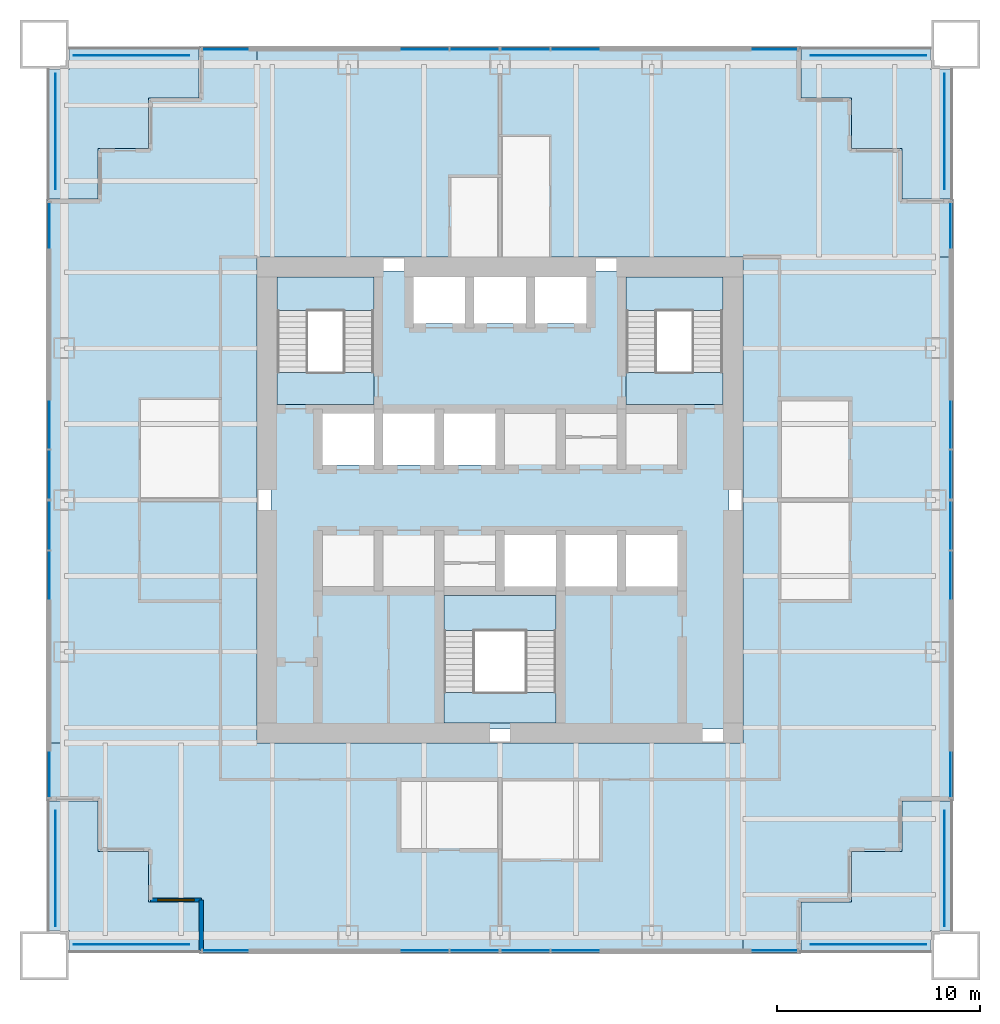
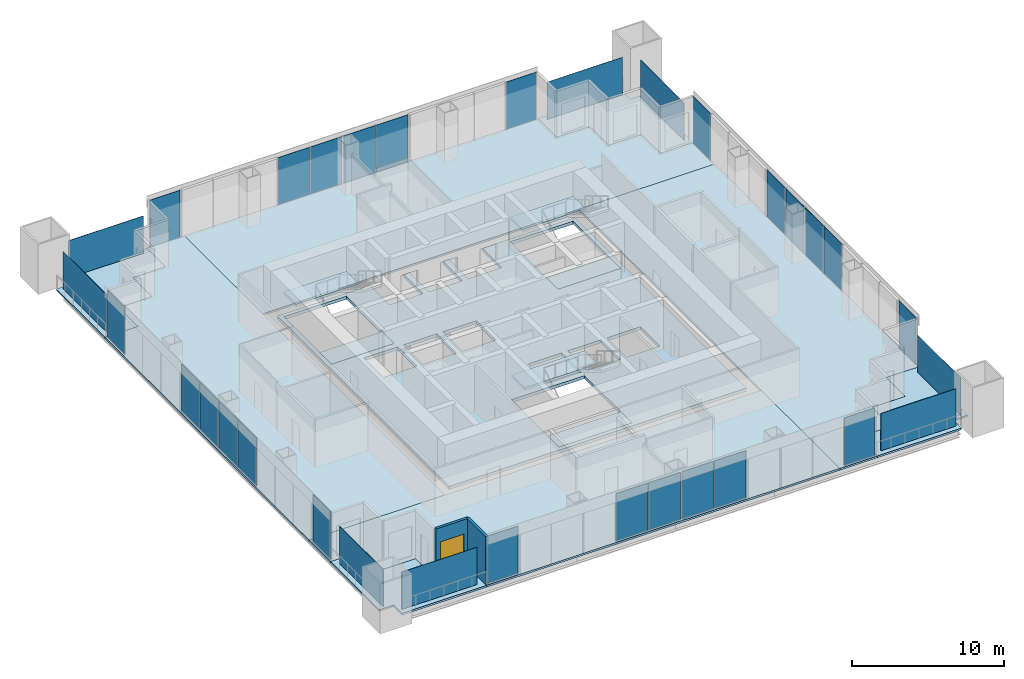
# One storey, part 7 of 13: 32 plates, 15 slabs, 2 walls, 1 window, 1 opening, 19 elements without a shape of their own.
"""IFC4 building model written with IfcOpenShell, lengths in metres."""

from ifc_helpers import new_model, si_unit, direction, frame, frame_2d, origin, origin_2d, place, context, subcontext, project, spatial, polyline, rectangle, outline, extrude, material, layer, layer_set, type_object, element, fill, aggregate, save


model = new_model("IFC4")

# Units and contexts
model_context = context("Model", 3, precision=1e-05, world=origin(), true_north=direction((0.0, 1.0)))
body_context = subcontext(model_context, "Body", "Model", "MODEL_VIEW")
ifc_project = project(units=[si_unit("LENGTHUNIT", "METRE"), si_unit("AREAUNIT", "SQUARE_METRE"), si_unit("VOLUMEUNIT", "CUBIC_METRE"), si_unit("PLANEANGLEUNIT", "RADIAN"), si_unit("MASSUNIT", "GRAM", prefix="KILO")], contexts=[model_context])

# Site, building, storey
site_placement = place(None, origin())
site = spatial("IfcSite", under=ifc_project, at=site_placement, CompositionType="ELEMENT")
building_placement = place(site_placement, origin())
building = spatial("IfcBuilding", under=site, at=building_placement, Name="Tarangal Relay Tower", CompositionType="ELEMENT")
storey_placement = place(building_placement, frame((0.0, 0.0, 225.89990234375)))
storey = spatial("IfcBuildingStorey", under=building, at=storey_placement, Name="L48", CompositionType="ELEMENT", Elevation=225.89990234375)

# Slabs
ifc_material_1 = material(Name="Concrete fc' 35 MPa", Category="concrete")
ifc_layer_1 = layer(ifc_material_1, 0.25)
ifc_layer_set_1 = layer_set([ifc_layer_1], Name="Core floor slab 250")
slab_type_1 = type_object("IfcSlabType", Name="Core floor slab 250", PredefinedType="FLOOR", material=ifc_layer_set_1)
slab_1_placement = place(storey_placement, frame((0.0, 0.0, -0.25)))
element("IfcSlab", 1, at=slab_1_placement, inside=storey, type_object=slab_type_1, Name="Core floor slab L48", PredefinedType="FLOOR", context=body_context, shape_type="SweptSolid", body=[
    extrude(outline(polyline([(11.300048828125, 11.300048828125), (11.300048828125, -11.300048828125), (-11.300048828125, -11.300048828125), (-11.300048828125, 11.300048828125), (-4.27490234375, 11.300048828125), (-4.27490234375, 8.72509765625), (-1.72509765625, 8.72509765625), (-1.72509765625, 11.300048828125), (-1.27490234375, 11.300048828125), (-1.27490234375, 8.72509765625), (1.27490234375, 8.72509765625), (1.27490234375, 11.300048828125), (1.72509765625, 11.300048828125), (1.72509765625, 8.72509765625), (4.27490234375, 8.72509765625), (4.27490234375, 11.300048828125), (11.300048828125, 11.300048828125)]), holes=[polyline([(-6.22509765625, 4.27490234375), (-8.77490234375, 4.27490234375), (-8.77490234375, 1.72509765625), (-6.22509765625, 1.72509765625), (-6.22509765625, 4.27490234375)]), polyline([(-3.22509765625, 1.72509765625), (-3.22509765625, 4.27490234375), (-5.77490234375, 4.27490234375), (-5.77490234375, 1.72509765625), (-3.22509765625, 1.72509765625)]), polyline([(-0.22509765625, 1.72509765625), (-0.22509765625, 4.27490234375), (-2.77490234375, 4.27490234375), (-2.77490234375, 1.72509765625), (-0.22509765625, 1.72509765625)]), polyline([(-6.22509765625, 11.0), (-11.0, 11.0), (-11.0, 4.72509765625), (-6.22509765625, 4.72509765625), (-6.22509765625, 11.0)]), polyline([(2.77490234375, -4.72509765625), (-2.77490234375, -4.72509765625), (-2.77490234375, -11.0), (2.77490234375, -11.0), (2.77490234375, -4.72509765625)]), polyline([(2.77490234375, -4.27490234375), (2.77490234375, -1.72509765625), (0.22509765625, -1.72509765625), (0.22509765625, -4.27490234375), (2.77490234375, -4.27490234375)]), polyline([(5.77490234375, -4.27490234375), (5.77490234375, -1.72509765625), (3.22509765625, -1.72509765625), (3.22509765625, -4.27490234375), (5.77490234375, -4.27490234375)]), polyline([(8.77490234375, -1.72509765625), (6.22509765625, -1.72509765625), (6.22509765625, -4.27490234375), (8.77490234375, -4.27490234375), (8.77490234375, -1.72509765625)]), polyline([(11.0, 4.72509765625), (11.0, 11.0), (6.22509765625, 11.0), (6.22509765625, 4.72509765625), (11.0, 4.72509765625)])]), origin(), (0.0, 0.0, 1.0), 0.25),
])
ifc_layer_2 = layer(ifc_material_1, 0.14990234375)
ifc_layer_set_2 = layer_set([ifc_layer_2], Name="Floor slab 150")
slab_type_2 = type_object("IfcSlabType", Name="Floor slab 150", PredefinedType="FLOOR", material=ifc_layer_set_2)
slab_2_placement = place(storey_placement, frame((0.0, 0.0, -0.14990234375)))
element("IfcSlab", 2, at=slab_2_placement, inside=storey, type_object=slab_type_2, Name="Floor slab FS3 L48 north bay", PredefinedType="FLOOR", context=body_context, shape_type="SweptSolid", body=[
    extrude(outline(polyline([(14.85009765625, 22.35009765625), (14.85009765625, 19.85009765625), (17.35009765625, 19.85009765625), (17.35009765625, 17.35009765625), (19.85009765625, 17.35009765625), (19.85009765625, 14.85009765625), (22.35009765625, 14.85009765625), (22.35009765625, 12.0), (-12.0, 12.0), (-12.0, 22.35009765625), (14.85009765625, 22.35009765625)])), origin(), (0.0, 0.0, 1.0), 0.14990234375),
])
slab_3_placement = place(storey_placement, frame((0.0, 0.0, -0.14990234375)))
element("IfcSlab", 3, at=slab_3_placement, inside=storey, type_object=slab_type_2, Name="Floor slab FS3 L48 east bay", PredefinedType="FLOOR", context=body_context, shape_type="SweptSolid", body=[
    extrude(outline(polyline([(22.35009765625, -14.85009765625), (19.85009765625, -14.85009765625), (19.85009765625, -17.35009765625), (17.35009765625, -17.35009765625), (17.35009765625, -19.85009765625), (14.85009765625, -19.85009765625), (14.85009765625, -22.35009765625), (12.0, -22.35009765625), (12.0, 12.0), (22.35009765625, 12.0), (22.35009765625, -14.85009765625)])), origin(), (0.0, 0.0, 1.0), 0.14990234375),
])
slab_4_placement = place(storey_placement, frame((0.0, 0.0, -0.14990234375)))
element("IfcSlab", 4, at=slab_4_placement, inside=storey, type_object=slab_type_2, Name="Floor slab FS3 L48 south bay", PredefinedType="FLOOR", context=body_context, shape_type="SweptSolid", body=[
    extrude(outline(polyline([(-14.85009765625, -22.35009765625), (-14.85009765625, -19.85009765625), (-17.35009765625, -19.85009765625), (-17.35009765625, -17.35009765625), (-19.85009765625, -17.35009765625), (-19.85009765625, -14.85009765625), (-22.35009765625, -14.85009765625), (-22.35009765625, -12.0), (12.0, -12.0), (12.0, -22.35009765625), (-14.85009765625, -22.35009765625)])), origin(), (0.0, 0.0, 1.0), 0.14990234375),
])
slab_5_placement = place(storey_placement, frame((0.0, 0.0, -0.14990234375)))
element("IfcSlab", 5, at=slab_5_placement, inside=storey, type_object=slab_type_2, Name="Floor slab FS3 L48 west bay", PredefinedType="FLOOR", context=body_context, shape_type="SweptSolid", body=[
    extrude(outline(polyline([(-12.0, 22.35009765625), (-12.0, -12.0), (-22.35009765625, -12.0), (-22.35009765625, 14.85009765625), (-19.85009765625, 14.85009765625), (-19.85009765625, 17.35009765625), (-17.35009765625, 17.35009765625), (-17.35009765625, 19.85009765625), (-14.85009765625, 19.85009765625), (-14.85009765625, 22.35009765625), (-12.0, 22.35009765625)])), origin(), (0.0, 0.0, 1.0), 0.14990234375),
])

# Curtain wall, plate
ifc_material_2 = material(Name="Unitised curtain wall, dark glass and black aluminium", Category="aluminium")
curtain_wall_type = type_object("IfcCurtainWallType", Name="Curtain wall CW-A", PredefinedType="USERDEFINED", material=ifc_material_2)
curtain_wall_1_placement = place(storey_placement, origin())
curtain_wall_1 = element("IfcCurtainWall", 6, at=curtain_wall_1_placement, inside=storey, type_object=curtain_wall_type, Name="Curtain wall CW-A N facade L48", ObjectType="UNITISED CURTAIN WALL", PredefinedType="USERDEFINED")
ifc_material_3 = material(Name="Dark tinted insulated glass unit", Category="glass")
ifc_layer_3 = layer(ifc_material_3, 0.031982421875)
ifc_layer_set_3 = layer_set([ifc_layer_3], Name="Glazed panel CW-A 32")
plate_type_1 = type_object("IfcPlateType", Name="Glazed panel CW-A 32", PredefinedType="CURTAIN_PANEL", material=ifc_layer_set_3)
plate_1_placement = place(storey_placement, frame((-13.541748046875, 22.25, 0.06494140625), z_axis=(0.0, 0.0, 1.0), x_axis=(1.0, 0.0, 0.0)))
plate_1 = element("IfcPlate", 7, at=plate_1_placement, type_object=plate_type_1, Name="CW-A panel 1.1", PredefinedType="CURTAIN_PANEL", context=body_context, shape_type="SweptSolid", body=[
    extrude(rectangle(XDim=2.28662109375, YDim=0.031982421875, at=origin_2d()), origin(), (0.0, 0.0, 1.0), 3.784912109375),
])
aggregate(curtain_wall_1, [plate_1])

# Curtain wall, plates
curtain_wall_2_placement = place(storey_placement, origin())
curtain_wall_2 = element("IfcCurtainWall", 8, at=curtain_wall_2_placement, inside=storey, type_object=curtain_wall_type, Name="Curtain wall CW-A N facade L48", ObjectType="UNITISED CURTAIN WALL", PredefinedType="USERDEFINED")
plate_2_placement = place(storey_placement, frame((-3.733642578125, 22.25, 0.06494140625), z_axis=(0.0, 0.0, 1.0), x_axis=(1.0, 0.0, 0.0)))
plate_2 = element("IfcPlate", 9, at=plate_2_placement, type_object=plate_type_1, Name="CW-A panel 1.1", PredefinedType="CURTAIN_PANEL", context=body_context, shape_type="SweptSolid", body=[
    extrude(rectangle(XDim=2.402587890625, YDim=0.031982421875, at=origin_2d()), origin(), (0.0, 0.0, 1.0), 3.784912109375),
])
plate_3_placement = place(storey_placement, frame((-1.266357421875, 22.25, 0.06494140625), z_axis=(0.0, 0.0, 1.0), x_axis=(1.0, 0.0, 0.0)))
plate_3 = element("IfcPlate", 10, at=plate_3_placement, type_object=plate_type_1, Name="CW-A panel 2.1", PredefinedType="CURTAIN_PANEL", context=body_context, shape_type="SweptSolid", body=[
    extrude(rectangle(XDim=2.402587890625, YDim=0.031982421875, at=origin_2d()), origin(), (0.0, 0.0, 1.0), 3.784912109375),
])
aggregate(curtain_wall_2, [plate_2, plate_3])

curtain_wall_3_placement = place(storey_placement, origin())
curtain_wall_3 = element("IfcCurtainWall", 11, at=curtain_wall_3_placement, inside=storey, type_object=curtain_wall_type, Name="Curtain wall CW-A N facade L48", ObjectType="UNITISED CURTAIN WALL", PredefinedType="USERDEFINED")
plate_4_placement = place(storey_placement, frame((1.266357421875, 22.25, 0.06494140625), z_axis=(0.0, 0.0, 1.0), x_axis=(1.0, 0.0, 0.0)))
plate_4 = element("IfcPlate", 12, at=plate_4_placement, type_object=plate_type_1, Name="CW-A panel 1.1", PredefinedType="CURTAIN_PANEL", context=body_context, shape_type="SweptSolid", body=[
    extrude(rectangle(XDim=2.402587890625, YDim=0.031982421875, at=origin_2d()), origin(), (0.0, 0.0, 1.0), 3.784912109375),
])
plate_5_placement = place(storey_placement, frame((3.733642578125, 22.25, 0.06494140625), z_axis=(0.0, 0.0, 1.0), x_axis=(1.0, 0.0, 0.0)))
plate_5 = element("IfcPlate", 13, at=plate_5_placement, type_object=plate_type_1, Name="CW-A panel 2.1", PredefinedType="CURTAIN_PANEL", context=body_context, shape_type="SweptSolid", body=[
    extrude(rectangle(XDim=2.402587890625, YDim=0.031982421875, at=origin_2d()), origin(), (0.0, 0.0, 1.0), 3.784912109375),
])
aggregate(curtain_wall_3, [plate_4, plate_5])

# Curtain wall, plate
curtain_wall_4_placement = place(storey_placement, origin())
curtain_wall_4 = element("IfcCurtainWall", 14, at=curtain_wall_4_placement, inside=storey, type_object=curtain_wall_type, Name="Curtain wall CW-A N facade L48", ObjectType="UNITISED CURTAIN WALL", PredefinedType="USERDEFINED")
plate_6_placement = place(storey_placement, frame((13.541748046875, 22.25, 0.06494140625), z_axis=(0.0, 0.0, 1.0), x_axis=(1.0, 0.0, 0.0)))
plate_6 = element("IfcPlate", 15, at=plate_6_placement, type_object=plate_type_1, Name="CW-A panel 1.1", PredefinedType="CURTAIN_PANEL", context=body_context, shape_type="SweptSolid", body=[
    extrude(rectangle(XDim=2.28662109375, YDim=0.031982421875, at=origin_2d()), origin(), (0.0, 0.0, 1.0), 3.784912109375),
])
aggregate(curtain_wall_4, [plate_6])

curtain_wall_5_placement = place(storey_placement, origin())
curtain_wall_5 = element("IfcCurtainWall", 16, at=curtain_wall_5_placement, inside=storey, type_object=curtain_wall_type, Name="Curtain wall CW-A E facade L48", ObjectType="UNITISED CURTAIN WALL", PredefinedType="USERDEFINED")
plate_7_placement = place(storey_placement, frame((22.25, 13.541748046875, 0.06494140625), z_axis=(0.0, 0.0, 1.0), x_axis=(0.0, -1.0, 0.0)))
plate_7 = element("IfcPlate", 17, at=plate_7_placement, type_object=plate_type_1, Name="CW-A panel 1.1", PredefinedType="CURTAIN_PANEL", context=body_context, shape_type="SweptSolid", body=[
    extrude(rectangle(XDim=2.28662109375, YDim=0.031982421875, at=origin_2d()), origin(), (0.0, 0.0, 1.0), 3.784912109375),
])
aggregate(curtain_wall_5, [plate_7])

# Curtain wall, plates
curtain_wall_6_placement = place(storey_placement, origin())
curtain_wall_6 = element("IfcCurtainWall", 18, at=curtain_wall_6_placement, inside=storey, type_object=curtain_wall_type, Name="Curtain wall CW-A E facade L48", ObjectType="UNITISED CURTAIN WALL", PredefinedType="USERDEFINED")
plate_8_placement = place(storey_placement, frame((22.25, 3.733642578125, 0.06494140625), z_axis=(0.0, 0.0, 1.0), x_axis=(0.0, -1.0, 0.0)))
plate_8 = element("IfcPlate", 19, at=plate_8_placement, type_object=plate_type_1, Name="CW-A panel 1.1", PredefinedType="CURTAIN_PANEL", context=body_context, shape_type="SweptSolid", body=[
    extrude(rectangle(XDim=2.402587890625, YDim=0.031982421875, at=origin_2d()), origin(), (0.0, 0.0, 1.0), 3.784912109375),
])
plate_9_placement = place(storey_placement, frame((22.25, 1.266357421875, 0.06494140625), z_axis=(0.0, 0.0, 1.0), x_axis=(0.0, -1.0, 0.0)))
plate_9 = element("IfcPlate", 20, at=plate_9_placement, type_object=plate_type_1, Name="CW-A panel 2.1", PredefinedType="CURTAIN_PANEL", context=body_context, shape_type="SweptSolid", body=[
    extrude(rectangle(XDim=2.402587890625, YDim=0.031982421875, at=origin_2d()), origin(), (0.0, 0.0, 1.0), 3.784912109375),
])
aggregate(curtain_wall_6, [plate_8, plate_9])

curtain_wall_7_placement = place(storey_placement, origin())
curtain_wall_7 = element("IfcCurtainWall", 21, at=curtain_wall_7_placement, inside=storey, type_object=curtain_wall_type, Name="Curtain wall CW-A E facade L48", ObjectType="UNITISED CURTAIN WALL", PredefinedType="USERDEFINED")
plate_10_placement = place(storey_placement, frame((22.25, -1.266357421875, 0.06494140625), z_axis=(0.0, 0.0, 1.0), x_axis=(0.0, -1.0, 0.0)))
plate_10 = element("IfcPlate", 22, at=plate_10_placement, type_object=plate_type_1, Name="CW-A panel 1.1", PredefinedType="CURTAIN_PANEL", context=body_context, shape_type="SweptSolid", body=[
    extrude(rectangle(XDim=2.402587890625, YDim=0.031982421875, at=origin_2d()), origin(), (0.0, 0.0, 1.0), 3.784912109375),
])
plate_11_placement = place(storey_placement, frame((22.25, -3.733642578125, 0.06494140625), z_axis=(0.0, 0.0, 1.0), x_axis=(0.0, -1.0, 0.0)))
plate_11 = element("IfcPlate", 23, at=plate_11_placement, type_object=plate_type_1, Name="CW-A panel 2.1", PredefinedType="CURTAIN_PANEL", context=body_context, shape_type="SweptSolid", body=[
    extrude(rectangle(XDim=2.402587890625, YDim=0.031982421875, at=origin_2d()), origin(), (0.0, 0.0, 1.0), 3.784912109375),
])
aggregate(curtain_wall_7, [plate_10, plate_11])

# Curtain wall, plate
curtain_wall_8_placement = place(storey_placement, origin())
curtain_wall_8 = element("IfcCurtainWall", 24, at=curtain_wall_8_placement, inside=storey, type_object=curtain_wall_type, Name="Curtain wall CW-A E facade L48", ObjectType="UNITISED CURTAIN WALL", PredefinedType="USERDEFINED")
plate_12_placement = place(storey_placement, frame((22.25, -13.541748046875, 0.06494140625), z_axis=(0.0, 0.0, 1.0), x_axis=(0.0, -1.0, 0.0)))
plate_12 = element("IfcPlate", 25, at=plate_12_placement, type_object=plate_type_1, Name="CW-A panel 1.1", PredefinedType="CURTAIN_PANEL", context=body_context, shape_type="SweptSolid", body=[
    extrude(rectangle(XDim=2.28662109375, YDim=0.031982421875, at=origin_2d()), origin(), (0.0, 0.0, 1.0), 3.784912109375),
])
aggregate(curtain_wall_8, [plate_12])

curtain_wall_9_placement = place(storey_placement, origin())
curtain_wall_9 = element("IfcCurtainWall", 26, at=curtain_wall_9_placement, inside=storey, type_object=curtain_wall_type, Name="Curtain wall CW-A S facade L48", ObjectType="UNITISED CURTAIN WALL", PredefinedType="USERDEFINED")
plate_13_placement = place(storey_placement, frame((13.541748046875, -22.25, 0.06494140625), z_axis=(0.0, 0.0, 1.0), x_axis=(-1.0, 0.0, 0.0)))
plate_13 = element("IfcPlate", 27, at=plate_13_placement, type_object=plate_type_1, Name="CW-A panel 1.1", PredefinedType="CURTAIN_PANEL", context=body_context, shape_type="SweptSolid", body=[
    extrude(rectangle(XDim=2.28662109375, YDim=0.031982421875, at=origin_2d()), origin(), (0.0, 0.0, 1.0), 3.784912109375),
])
aggregate(curtain_wall_9, [plate_13])

# Curtain wall, plates
curtain_wall_10_placement = place(storey_placement, origin())
curtain_wall_10 = element("IfcCurtainWall", 28, at=curtain_wall_10_placement, inside=storey, type_object=curtain_wall_type, Name="Curtain wall CW-A S facade L48", ObjectType="UNITISED CURTAIN WALL", PredefinedType="USERDEFINED")
plate_14_placement = place(storey_placement, frame((3.733642578125, -22.25, 0.06494140625), z_axis=(0.0, 0.0, 1.0), x_axis=(-1.0, 0.0, 0.0)))
plate_14 = element("IfcPlate", 29, at=plate_14_placement, type_object=plate_type_1, Name="CW-A panel 1.1", PredefinedType="CURTAIN_PANEL", context=body_context, shape_type="SweptSolid", body=[
    extrude(rectangle(XDim=2.402587890625, YDim=0.031982421875, at=origin_2d()), origin(), (0.0, 0.0, 1.0), 3.784912109375),
])
plate_15_placement = place(storey_placement, frame((1.266357421875, -22.25, 0.06494140625), z_axis=(0.0, 0.0, 1.0), x_axis=(-1.0, 0.0, 0.0)))
plate_15 = element("IfcPlate", 30, at=plate_15_placement, type_object=plate_type_1, Name="CW-A panel 2.1", PredefinedType="CURTAIN_PANEL", context=body_context, shape_type="SweptSolid", body=[
    extrude(rectangle(XDim=2.402587890625, YDim=0.031982421875, at=origin_2d()), origin(), (0.0, 0.0, 1.0), 3.784912109375),
])
aggregate(curtain_wall_10, [plate_14, plate_15])

curtain_wall_11_placement = place(storey_placement, origin())
curtain_wall_11 = element("IfcCurtainWall", 31, at=curtain_wall_11_placement, inside=storey, type_object=curtain_wall_type, Name="Curtain wall CW-A S facade L48", ObjectType="UNITISED CURTAIN WALL", PredefinedType="USERDEFINED")
plate_16_placement = place(storey_placement, frame((-1.266357421875, -22.25, 0.06494140625), z_axis=(0.0, 0.0, 1.0), x_axis=(-1.0, 0.0, 0.0)))
plate_16 = element("IfcPlate", 32, at=plate_16_placement, type_object=plate_type_1, Name="CW-A panel 1.1", PredefinedType="CURTAIN_PANEL", context=body_context, shape_type="SweptSolid", body=[
    extrude(rectangle(XDim=2.402587890625, YDim=0.031982421875, at=origin_2d()), origin(), (0.0, 0.0, 1.0), 3.784912109375),
])
plate_17_placement = place(storey_placement, frame((-3.733642578125, -22.25, 0.06494140625), z_axis=(0.0, 0.0, 1.0), x_axis=(-1.0, 0.0, 0.0)))
plate_17 = element("IfcPlate", 33, at=plate_17_placement, type_object=plate_type_1, Name="CW-A panel 2.1", PredefinedType="CURTAIN_PANEL", context=body_context, shape_type="SweptSolid", body=[
    extrude(rectangle(XDim=2.402587890625, YDim=0.031982421875, at=origin_2d()), origin(), (0.0, 0.0, 1.0), 3.784912109375),
])
aggregate(curtain_wall_11, [plate_16, plate_17])

# Curtain wall, plate
curtain_wall_12_placement = place(storey_placement, origin())
curtain_wall_12 = element("IfcCurtainWall", 34, at=curtain_wall_12_placement, inside=storey, type_object=curtain_wall_type, Name="Curtain wall CW-A S facade L48", ObjectType="UNITISED CURTAIN WALL", PredefinedType="USERDEFINED")
plate_18_placement = place(storey_placement, frame((-13.541748046875, -22.25, 0.06494140625), z_axis=(0.0, 0.0, 1.0), x_axis=(-1.0, 0.0, 0.0)))
plate_18 = element("IfcPlate", 35, at=plate_18_placement, type_object=plate_type_1, Name="CW-A panel 1.1", PredefinedType="CURTAIN_PANEL", context=body_context, shape_type="SweptSolid", body=[
    extrude(rectangle(XDim=2.28662109375, YDim=0.031982421875, at=origin_2d()), origin(), (0.0, 0.0, 1.0), 3.784912109375),
])
aggregate(curtain_wall_12, [plate_18])

curtain_wall_13_placement = place(storey_placement, origin())
curtain_wall_13 = element("IfcCurtainWall", 36, at=curtain_wall_13_placement, inside=storey, type_object=curtain_wall_type, Name="Curtain wall CW-A W facade L48", ObjectType="UNITISED CURTAIN WALL", PredefinedType="USERDEFINED")
plate_19_placement = place(storey_placement, frame((-22.25, -13.541748046875, 0.06494140625), z_axis=(0.0, 0.0, 1.0), x_axis=(0.0, 1.0, 0.0)))
plate_19 = element("IfcPlate", 37, at=plate_19_placement, type_object=plate_type_1, Name="CW-A panel 1.1", PredefinedType="CURTAIN_PANEL", context=body_context, shape_type="SweptSolid", body=[
    extrude(rectangle(XDim=2.28662109375, YDim=0.031982421875, at=origin_2d()), origin(), (0.0, 0.0, 1.0), 3.784912109375),
])
aggregate(curtain_wall_13, [plate_19])

# Curtain wall, plates
curtain_wall_14_placement = place(storey_placement, origin())
curtain_wall_14 = element("IfcCurtainWall", 38, at=curtain_wall_14_placement, inside=storey, type_object=curtain_wall_type, Name="Curtain wall CW-A W facade L48", ObjectType="UNITISED CURTAIN WALL", PredefinedType="USERDEFINED")
plate_20_placement = place(storey_placement, frame((-22.25, -3.733642578125, 0.06494140625), z_axis=(0.0, 0.0, 1.0), x_axis=(0.0, 1.0, 0.0)))
plate_20 = element("IfcPlate", 39, at=plate_20_placement, type_object=plate_type_1, Name="CW-A panel 1.1", PredefinedType="CURTAIN_PANEL", context=body_context, shape_type="SweptSolid", body=[
    extrude(rectangle(XDim=2.402587890625, YDim=0.031982421875, at=origin_2d()), origin(), (0.0, 0.0, 1.0), 3.784912109375),
])
plate_21_placement = place(storey_placement, frame((-22.25, -1.266357421875, 0.06494140625), z_axis=(0.0, 0.0, 1.0), x_axis=(0.0, 1.0, 0.0)))
plate_21 = element("IfcPlate", 40, at=plate_21_placement, type_object=plate_type_1, Name="CW-A panel 2.1", PredefinedType="CURTAIN_PANEL", context=body_context, shape_type="SweptSolid", body=[
    extrude(rectangle(XDim=2.402587890625, YDim=0.031982421875, at=origin_2d()), origin(), (0.0, 0.0, 1.0), 3.784912109375),
])
aggregate(curtain_wall_14, [plate_20, plate_21])

curtain_wall_15_placement = place(storey_placement, origin())
curtain_wall_15 = element("IfcCurtainWall", 41, at=curtain_wall_15_placement, inside=storey, type_object=curtain_wall_type, Name="Curtain wall CW-A W facade L48", ObjectType="UNITISED CURTAIN WALL", PredefinedType="USERDEFINED")
plate_22_placement = place(storey_placement, frame((-22.25, 1.266357421875, 0.06494140625), z_axis=(0.0, 0.0, 1.0), x_axis=(0.0, 1.0, 0.0)))
plate_22 = element("IfcPlate", 42, at=plate_22_placement, type_object=plate_type_1, Name="CW-A panel 1.1", PredefinedType="CURTAIN_PANEL", context=body_context, shape_type="SweptSolid", body=[
    extrude(rectangle(XDim=2.402587890625, YDim=0.031982421875, at=origin_2d()), origin(), (0.0, 0.0, 1.0), 3.784912109375),
])
plate_23_placement = place(storey_placement, frame((-22.25, 3.733642578125, 0.06494140625), z_axis=(0.0, 0.0, 1.0), x_axis=(0.0, 1.0, 0.0)))
plate_23 = element("IfcPlate", 43, at=plate_23_placement, type_object=plate_type_1, Name="CW-A panel 2.1", PredefinedType="CURTAIN_PANEL", context=body_context, shape_type="SweptSolid", body=[
    extrude(rectangle(XDim=2.402587890625, YDim=0.031982421875, at=origin_2d()), origin(), (0.0, 0.0, 1.0), 3.784912109375),
])
aggregate(curtain_wall_15, [plate_22, plate_23])

# Curtain wall, plate
curtain_wall_16_placement = place(storey_placement, origin())
curtain_wall_16 = element("IfcCurtainWall", 44, at=curtain_wall_16_placement, inside=storey, type_object=curtain_wall_type, Name="Curtain wall CW-A W facade L48", ObjectType="UNITISED CURTAIN WALL", PredefinedType="USERDEFINED")
plate_24_placement = place(storey_placement, frame((-22.25, 13.541748046875, 0.06494140625), z_axis=(0.0, 0.0, 1.0), x_axis=(0.0, 1.0, 0.0)))
plate_24 = element("IfcPlate", 45, at=plate_24_placement, type_object=plate_type_1, Name="CW-A panel 1.1", PredefinedType="CURTAIN_PANEL", context=body_context, shape_type="SweptSolid", body=[
    extrude(rectangle(XDim=2.28662109375, YDim=0.031982421875, at=origin_2d()), origin(), (0.0, 0.0, 1.0), 3.784912109375),
])
aggregate(curtain_wall_16, [plate_24])

# Plates
ifc_material_4 = material(Name="Black stainless steel cable trellis with climbing planting", Category="steel")
ifc_layer_4 = layer(ifc_material_4, 0.030029296875)
ifc_layer_set_4 = layer_set([ifc_layer_4], Name="Planted trellis screen")
plate_type_2 = type_object("IfcPlateType", Name="Planted trellis screen", PredefinedType="SHEET", material=ifc_layer_set_4)
for number, where, z_axis, x_axis, name in (
    (46, (21.949951171875, 18.199951171875, 0.0), (0.0, 0.0, 1.0), (0.0, -1.0, 0.0), "Planted trellis SC2 NE L48"),
    (47, (18.199951171875, -21.949951171875, 0.0), (0.0, 0.0, 1.0), (-1.0, 0.0, 0.0), "Planted trellis SC2 SE L48"),
    (48, (-21.949951171875, -18.199951171875, 0.0), (0.0, 0.0, 1.0), (0.0, 1.0, 0.0), "Planted trellis SC2 SW L48"),
    (49, (-18.199951171875, 21.949951171875, 0.0), (0.0, 0.0, 1.0), (1.0, 0.0, 0.0), "Planted trellis SC2 NW L48"),
):
    element("IfcPlate", number, at=place(storey_placement, frame(where, z_axis=z_axis, x_axis=x_axis)), inside=storey, type_object=plate_type_2, Name=name, PredefinedType="SHEET", context=body_context, shape_type="SweptSolid", body=[
        extrude(rectangle(XDim=5.699951171875, YDim=0.030029296875, at=origin_2d()), origin(), (0.0, 0.0, 1.0), 3.0),
    ])

# Stair, slabs
ifc_material_5 = material(Name="Steel ASTM A992 stair flight", Category="steel")
stair_type = type_object("IfcStairType", Name="Core stair 1500", PredefinedType="HALF_TURN_STAIR", material=ifc_material_5)
stair_1_placement = place(storey_placement, origin())
stair_1 = element("IfcStair", 50, at=stair_1_placement, inside=storey, type_object=stair_type, Name="Stair ST-A L48", PredefinedType="HALF_TURN_STAIR")
ifc_layer_5 = layer(ifc_material_1, 0.199951171875)
ifc_layer_set_5 = layer_set([ifc_layer_5], Name="Stair landing 200")
slab_type_3 = type_object("IfcSlabType", Name="Stair landing 200", PredefinedType="LANDING", material=ifc_layer_set_5)
slab_6_placement = place(storey_placement, frame((0.0, 0.0, -0.199951171875)))
slab_6 = element("IfcSlab", 51, at=slab_6_placement, type_object=slab_type_3, Name="ST-A landing 1", PredefinedType="LANDING", context=body_context, shape_type="SweptSolid", body=[
    extrude(outline(polyline([(-11.0, 4.72509765625), (-6.22509765625, 4.72509765625), (-6.22509765625, 6.300048828125), (-11.0, 6.300048828125), (-11.0, 4.72509765625)])), origin(), (0.0, 0.0, 1.0), 0.199951171875),
])
slab_7_placement = place(storey_placement, frame((0.0, 0.0, 1.800048828125)))
slab_7 = element("IfcSlab", 52, at=slab_7_placement, type_object=slab_type_3, Name="ST-A landing 2", PredefinedType="LANDING", context=body_context, shape_type="SweptSolid", body=[
    extrude(outline(polyline([(-11.0, 9.346923828125), (-6.22509765625, 9.346923828125), (-6.22509765625, 11.0), (-11.0, 11.0), (-11.0, 9.346923828125)])), origin(), (0.0, 0.0, 1.0), 0.199951171875),
])
aggregate(stair_1, [slab_6, slab_7])

stair_2_placement = place(storey_placement, origin())
stair_2 = element("IfcStair", 53, at=stair_2_placement, inside=storey, type_object=stair_type, Name="Stair ST-B L48", PredefinedType="HALF_TURN_STAIR")
slab_8_placement = place(storey_placement, frame((0.0, 0.0, -0.199951171875)))
slab_8 = element("IfcSlab", 54, at=slab_8_placement, type_object=slab_type_3, Name="ST-B landing 1", PredefinedType="LANDING", context=body_context, shape_type="SweptSolid", body=[
    extrude(outline(polyline([(6.22509765625, 4.72509765625), (11.0, 4.72509765625), (11.0, 6.300048828125), (6.22509765625, 6.300048828125), (6.22509765625, 4.72509765625)])), origin(), (0.0, 0.0, 1.0), 0.199951171875),
])
slab_9_placement = place(storey_placement, frame((0.0, 0.0, 1.800048828125)))
slab_9 = element("IfcSlab", 55, at=slab_9_placement, type_object=slab_type_3, Name="ST-B landing 2", PredefinedType="LANDING", context=body_context, shape_type="SweptSolid", body=[
    extrude(outline(polyline([(6.22509765625, 9.346923828125), (11.0, 9.346923828125), (11.0, 11.0), (6.22509765625, 11.0), (6.22509765625, 9.346923828125)])), origin(), (0.0, 0.0, 1.0), 0.199951171875),
])
aggregate(stair_2, [slab_8, slab_9])

stair_3_placement = place(storey_placement, origin())
stair_3 = element("IfcStair", 56, at=stair_3_placement, inside=storey, type_object=stair_type, Name="Stair ST-C L48", PredefinedType="HALF_TURN_STAIR")
slab_10_placement = place(storey_placement, frame((0.0, 0.0, -0.199951171875)))
slab_10 = element("IfcSlab", 57, at=slab_10_placement, type_object=slab_type_3, Name="ST-C landing 1", PredefinedType="LANDING", context=body_context, shape_type="SweptSolid", body=[
    extrude(outline(polyline([(-2.77490234375, -11.0), (2.77490234375, -11.0), (2.77490234375, -9.5), (-2.77490234375, -9.5), (-2.77490234375, -11.0)])), origin(), (0.0, 0.0, 1.0), 0.199951171875),
])
slab_11_placement = place(storey_placement, frame((0.0, 0.0, 1.800048828125)))
slab_11 = element("IfcSlab", 58, at=slab_11_placement, type_object=slab_type_3, Name="ST-C landing 2", PredefinedType="LANDING", context=body_context, shape_type="SweptSolid", body=[
    extrude(outline(polyline([(-2.77490234375, -6.452880859375), (2.77490234375, -6.452880859375), (2.77490234375, -4.72509765625), (-2.77490234375, -4.72509765625), (-2.77490234375, -6.452880859375)])), origin(), (0.0, 0.0, 1.0), 0.199951171875),
])
aggregate(stair_3, [slab_10, slab_11])

# Plates
ifc_material_6 = material(Name="Perforated black aluminium screen", Category="aluminium")
ifc_layer_6 = layer(ifc_material_6, 0.02001953125)
ifc_layer_set_6 = layer_set([ifc_layer_6], Name="Terrace screen panel")
plate_type_3 = type_object("IfcPlateType", Name="Terrace screen panel", PredefinedType="SHEET", material=ifc_layer_set_6)
for number, where, z_axis, x_axis, name in (
    (59, (18.199951171875, 21.949951171875, 0.0), (0.0, 0.0, 1.0), (1.0, 0.0, 0.0), "Terrace screen SC1 NE L48"),
    (60, (21.949951171875, -18.199951171875, 0.0), (0.0, 0.0, 1.0), (0.0, -1.0, 0.0), "Terrace screen SC1 SE L48"),
    (61, (-18.199951171875, -21.949951171875, 0.0), (0.0, 0.0, 1.0), (-1.0, 0.0, 0.0), "Terrace screen SC1 SW L48"),
    (62, (-21.949951171875, 18.199951171875, 0.0), (0.0, 0.0, 1.0), (0.0, 1.0, 0.0), "Terrace screen SC1 NW L48"),
):
    element("IfcPlate", number, at=place(storey_placement, frame(where, z_axis=z_axis, x_axis=x_axis)), inside=storey, type_object=plate_type_3, Name=name, PredefinedType="SHEET", context=body_context, shape_type="SweptSolid", body=[
        extrude(rectangle(XDim=5.699951171875, YDim=0.02001953125, at=origin_2d()), origin(), (0.0, 0.0, 1.0), 3.0),
    ])

# Slabs
ifc_layer_7 = layer(ifc_material_1, 0.14990234375)
ifc_layer_set_7 = layer_set([ifc_layer_7], Name="Terrace slab 150")
slab_type_4 = type_object("IfcSlabType", Name="Terrace slab 150", PredefinedType="FLOOR", material=ifc_layer_set_7)
slab_12_placement = place(storey_placement, frame((0.0, 0.0, -0.14990234375)))
element("IfcSlab", 63, at=slab_12_placement, inside=storey, type_object=slab_type_4, Name="Corner terrace NE L48", PredefinedType="FLOOR", context=body_context, shape_type="SweptSolid", body=[
    extrude(outline(polyline([(14.85009765625, 22.35009765625), (14.85009765625, 19.85009765625), (17.35009765625, 19.85009765625), (17.35009765625, 17.35009765625), (19.85009765625, 17.35009765625), (19.85009765625, 14.85009765625), (22.35009765625, 14.85009765625), (22.35009765625, 21.25), (21.25, 21.25), (21.25, 22.35009765625), (14.85009765625, 22.35009765625)])), origin(), (0.0, 0.0, 1.0), 0.14990234375),
])
slab_13_placement = place(storey_placement, frame((0.0, 0.0, -0.14990234375)))
element("IfcSlab", 64, at=slab_13_placement, inside=storey, type_object=slab_type_4, Name="Corner terrace SE L48", PredefinedType="FLOOR", context=body_context, shape_type="SweptSolid", body=[
    extrude(outline(polyline([(22.35009765625, -14.85009765625), (19.85009765625, -14.85009765625), (19.85009765625, -17.35009765625), (17.35009765625, -17.35009765625), (17.35009765625, -19.85009765625), (14.85009765625, -19.85009765625), (14.85009765625, -22.35009765625), (21.25, -22.35009765625), (21.25, -21.25), (22.35009765625, -21.25), (22.35009765625, -14.85009765625)])), origin(), (0.0, 0.0, 1.0), 0.14990234375),
])
slab_14_placement = place(storey_placement, frame((0.0, 0.0, -0.14990234375)))
element("IfcSlab", 65, at=slab_14_placement, inside=storey, type_object=slab_type_4, Name="Corner terrace SW L48", PredefinedType="FLOOR", context=body_context, shape_type="SweptSolid", body=[
    extrude(outline(polyline([(-14.85009765625, -22.35009765625), (-14.85009765625, -19.85009765625), (-17.35009765625, -19.85009765625), (-17.35009765625, -17.35009765625), (-19.85009765625, -17.35009765625), (-19.85009765625, -14.85009765625), (-22.35009765625, -14.85009765625), (-22.35009765625, -21.25), (-21.25, -21.25), (-21.25, -22.35009765625), (-14.85009765625, -22.35009765625)])), origin(), (0.0, 0.0, 1.0), 0.14990234375),
])
slab_15_placement = place(storey_placement, frame((0.0, 0.0, -0.14990234375)))
element("IfcSlab", 66, at=slab_15_placement, inside=storey, type_object=slab_type_4, Name="Corner terrace NW L48", PredefinedType="FLOOR", context=body_context, shape_type="SweptSolid", body=[
    extrude(outline(polyline([(-22.35009765625, 14.85009765625), (-19.85009765625, 14.85009765625), (-19.85009765625, 17.35009765625), (-17.35009765625, 17.35009765625), (-17.35009765625, 19.85009765625), (-14.85009765625, 19.85009765625), (-14.85009765625, 22.35009765625), (-21.25, 22.35009765625), (-21.25, 21.25), (-22.35009765625, 21.25), (-22.35009765625, 14.85009765625)])), origin(), (0.0, 0.0, 1.0), 0.14990234375),
])

# Wall
ifc_material_7 = material(Name="Black metal clad insulated wall", Category="steel")
ifc_layer_8 = layer(ifc_material_7, 0.199951171875)
ifc_layer_set_8 = layer_set([ifc_layer_8], Name="Corner wall metal clad 200")
wall_type = type_object("IfcWallType", Name="Corner wall metal clad 200", PredefinedType="SOLIDWALL", material=ifc_layer_set_8)
wall_1_placement = place(storey_placement, frame((-14.75, -22.25, 0.0), z_axis=(0.0, 0.0, 1.0), x_axis=(0.0, 1.0, 0.0)))
element("IfcWall", 67, at=wall_1_placement, inside=storey, type_object=wall_type, Name="Facade wall S facade L48", PredefinedType="SOLIDWALL", context=body_context, shape_type="SweptSolid", body=[
    extrude(rectangle(XDim=2.5, YDim=0.199951171875, at=frame_2d((1.25, 0.0))), origin(), (0.0, 0.0, 1.0), 3.85009765625),
])

# Wall, opening, window
wall_2_placement = place(storey_placement, frame((-14.75, -19.75, 0.0), z_axis=(0.0, 0.0, 1.0), x_axis=(-1.0, 0.0, 0.0)))
wall_2 = element("IfcWall", 68, at=wall_2_placement, inside=storey, type_object=wall_type, Name="Facade wall S facade L48", PredefinedType="SOLIDWALL", context=body_context, shape_type="SweptSolid", body=[
    extrude(rectangle(XDim=2.5, YDim=0.199951171875, at=frame_2d((1.25, 0.0))), origin(), (0.0, 0.0, 1.0), 3.85009765625),
])
opening_placement = place(wall_2_placement, frame((0.35009765625, 0.0, 0.300048828125)))
opening = element("IfcOpeningElement", 69, at=opening_placement, cuts=wall_2, Name="Opening WN2", PredefinedType="OPENING", context=body_context, shape_type="SweptSolid", body=[
    extrude(rectangle(XDim=1.800048828125, YDim=2.39990234375, at=frame_2d((0.89990234375, 1.199951171875))), frame((0.0, 0.10986328125, 0.0), z_axis=(0.0, -1.0, 0.0), x_axis=(1.0, 0.0, 0.0)), (0.0, 0.0, 1.0), 0.219970703125),
])
ifc_material_8 = material(Name="Dark tinted double glazing in black aluminium frame", Category="aluminium")
window_type = type_object("IfcWindowType", Name="Corner window 1800 x 2400", PartitioningType="SINGLE_PANEL", PredefinedType="WINDOW", material=ifc_material_8)
window_placement = place(opening_placement, origin())
window = element("IfcWindow", 70, at=window_placement, inside=storey, type_object=window_type, Name="Corner window WN2 S facade L48", OverallHeight=2.39990234375, OverallWidth=1.800048828125, PartitioningType="SINGLE_PANEL", PredefinedType="WINDOW", context=body_context, shape_type="SweptSolid", body=[
    extrude(rectangle(XDim=1.800048828125, YDim=2.39990234375, at=frame_2d((0.89990234375, 1.199951171875))), frame((0.0, 0.030029296875, 0.0), z_axis=(0.0, -1.0, 0.0), x_axis=(1.0, 0.0, 0.0)), (0.0, 0.0, 1.0), 0.06005859375),
])
fill(opening, window)

save(model, "model.ifc")
